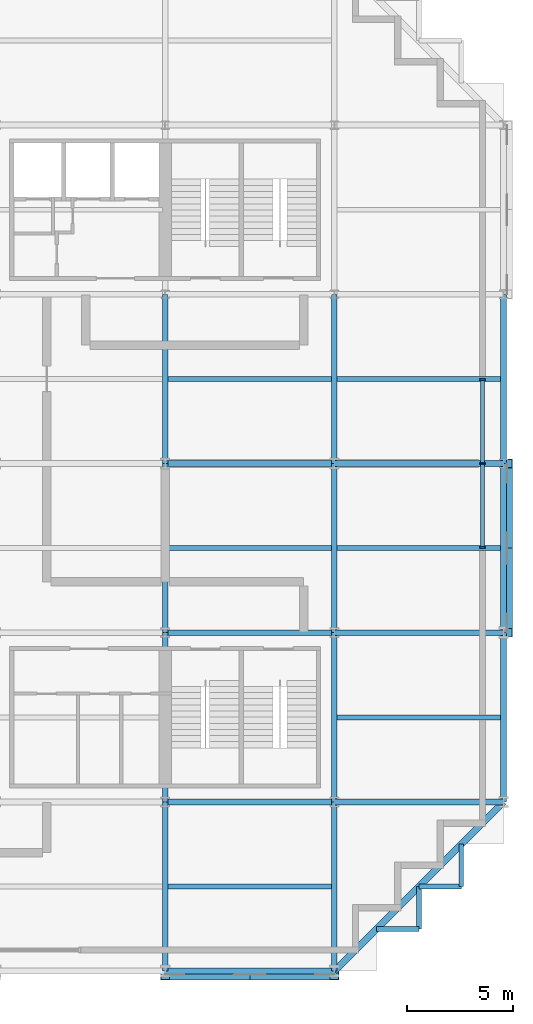
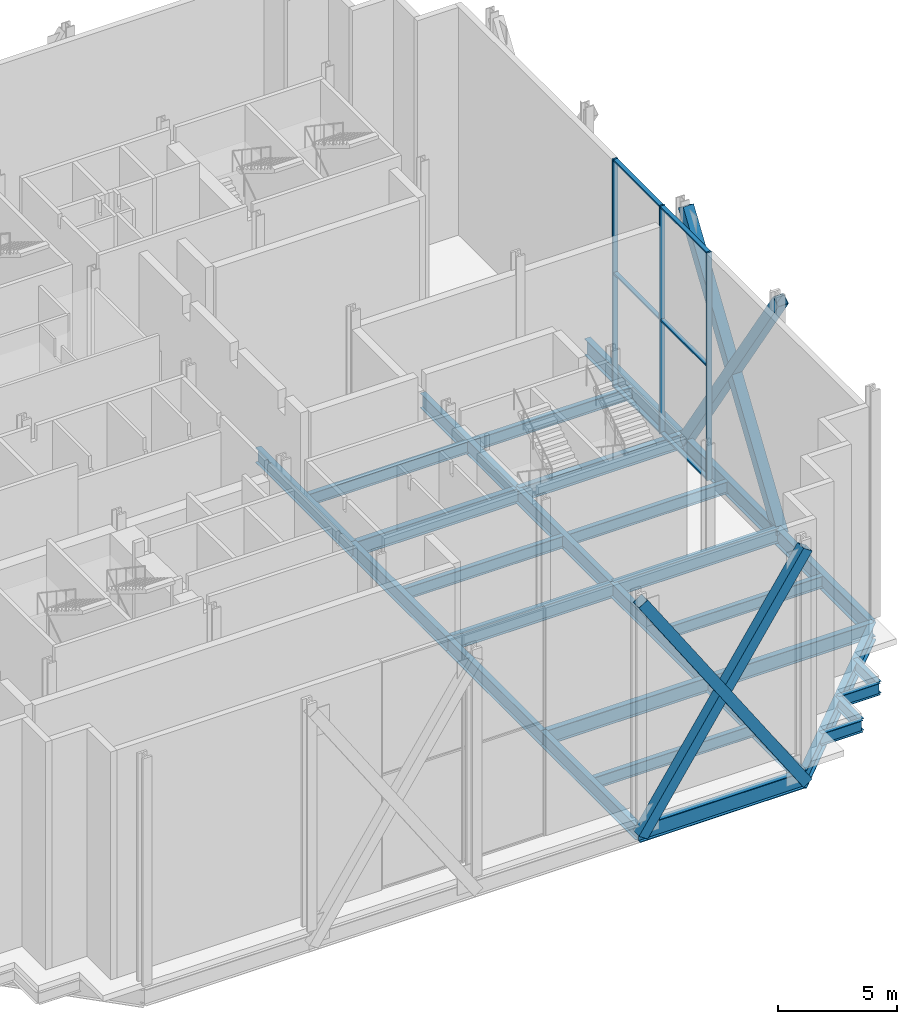
# One storey, part 4 of 14: 29 beams, 13 members, 1 element without a shape of its own.
"""IFC4 building model written with IfcOpenShell, lengths in metres."""

from ifc_helpers import new_model, si_unit, direction, frame, origin, origin_2d, place, context, subcontext, project, spatial, rectangle, hollow_rectangle, i_section, extrude, material, material_profile, profile_set, type_object, element, aggregate, save


model = new_model("IFC4")

# Units and contexts
model_context = context("Model", 3, precision=1e-05, world=origin(), true_north=direction((0.0, 1.0)))
body_context = subcontext(model_context, "Body", "Model", "MODEL_VIEW")
ifc_project = project(units=[si_unit("LENGTHUNIT", "METRE"), si_unit("AREAUNIT", "SQUARE_METRE"), si_unit("VOLUMEUNIT", "CUBIC_METRE"), si_unit("PLANEANGLEUNIT", "RADIAN"), si_unit("MASSUNIT", "GRAM", prefix="KILO")], contexts=[model_context])

# Site, building, storey
site_placement = place(None, origin())
site = spatial("IfcSite", under=ifc_project, at=site_placement, CompositionType="ELEMENT")
building_placement = place(site_placement, origin())
building = spatial("IfcBuilding", under=site, at=building_placement, Name="Immortelle Media Tower", CompositionType="ELEMENT")
storey_placement = place(building_placement, frame((0.0, 0.0, 9.0)))
storey = spatial("IfcBuildingStorey", under=building, at=storey_placement, Name="L01", CompositionType="ELEMENT", Elevation=9.0)

# Members
ifc_material_1 = material(Name="Steel ASTM A500 Gr C", Category="steel")
ifc_material_profile_1 = material_profile(ifc_material_1, hollow_rectangle(XDim=0.508056640625, YDim=0.508056640625, WallThickness=0.014892578125, at=origin_2d()), Name="HSS20x20x5/8 brace")
ifc_profile_set_1 = profile_set([ifc_material_profile_1], Name="Steel ASTM A500 Gr C")
member_type_1 = type_object("IfcMemberType", Name="HSS20x20x5/8 brace", PredefinedType="BRACE", material=ifc_profile_set_1)
for number, where, z_axis, x_axis, name in (
    (1, (32.0, -0.1640625, -0.7294921875), (0.554700196225, 0.0, 0.832050294338), (0.0, 1.0, 0.0), "Brace A/5-6 A"),
    (2, (32.0, -0.1640625, 11.2705078125), (0.554700196225, 0.0, -0.832050294338), (0.0, 1.0, 0.0), "Brace A/5-6 B"),
    (3, (48.1640625, 16.0, -0.7294921875), (0.0, 0.554700196225, 0.832050294338), (-1.0, 0.0, 0.0), "Brace 7/C-D A"),
    (4, (48.1640625, 16.0, 11.2705078125), (0.0, 0.554700196225, -0.832050294338), (-1.0, 0.0, 0.0), "Brace 7/C-D B"),
):
    element("IfcMember", number, at=place(storey_placement, frame(where, z_axis=z_axis, x_axis=x_axis)), inside=storey, type_object=member_type_1, Name=name, PredefinedType="BRACE", context=body_context, shape_type="SweptSolid", body=[
        extrude(hollow_rectangle(XDim=0.508056640625, YDim=0.508056640625, WallThickness=0.014892578125, at=origin_2d()), origin(), (0.0, 0.0, 1.0), 14.422119140625),
    ])

# Curtain wall, members
ifc_material_2 = material(Name="Aluminium curtain wall system", Category="aluminium")
curtain_wall_type = type_object("IfcCurtainWallType", Name="Media wall curtain wall", PredefinedType="NOTDEFINED", material=ifc_material_2)
curtain_wall_placement = place(storey_placement, origin())
curtain_wall = element("IfcCurtainWall", 5, at=curtain_wall_placement, inside=storey, type_object=curtain_wall_type, Name="Media wall L01 E 14-2", PredefinedType="NOTDEFINED")
ifc_material_3 = material(Name="Aluminium 6063-T6", Category="aluminium")
ifc_material_profile_2 = material_profile(ifc_material_3, rectangle(XDim=0.25, YDim=0.080078125, at=origin_2d()), Name="AL 80x250")
ifc_profile_set_2 = profile_set([ifc_material_profile_2], Name="Aluminium 6063-T6")
member_type_2 = type_object("IfcMemberType", Name="Media wall mullion 80 x 250", PredefinedType="MULLION", material=ifc_profile_set_2)
member_1_placement = place(storey_placement, frame((47.0, 20.0400390625, 0.0), z_axis=(0.0, 0.0, 1.0), x_axis=(-1.0, 0.0, 0.0)))
member_1 = element("IfcMember", 6, at=member_1_placement, type_object=member_type_2, Name="CW3 mullion 1", PredefinedType="MULLION", context=body_context, shape_type="SweptSolid", body=[
    extrude(rectangle(XDim=0.25, YDim=0.080078125, at=origin_2d()), origin(), (0.0, 0.0, 1.0), 11.699951171875),
])
member_2_placement = place(storey_placement, frame((47.0, 24.0, 0.0), z_axis=(0.0, 0.0, 1.0), x_axis=(-1.0, 0.0, 0.0)))
member_2 = element("IfcMember", 7, at=member_2_placement, type_object=member_type_2, Name="CW3 mullion 2", PredefinedType="MULLION", context=body_context, shape_type="SweptSolid", body=[
    extrude(rectangle(XDim=0.25, YDim=0.080078125, at=origin_2d()), origin(), (0.0, 0.0, 1.0), 11.699951171875),
])
member_3_placement = place(storey_placement, frame((47.0, 27.9599609375, 0.0), z_axis=(0.0, 0.0, 1.0), x_axis=(-1.0, 0.0, 0.0)))
member_3 = element("IfcMember", 8, at=member_3_placement, type_object=member_type_2, Name="CW3 mullion 3", PredefinedType="MULLION", context=body_context, shape_type="SweptSolid", body=[
    extrude(rectangle(XDim=0.25, YDim=0.080078125, at=origin_2d()), origin(), (0.0, 0.0, 1.0), 11.699951171875),
])
ifc_material_profile_3 = material_profile(ifc_material_3, rectangle(XDim=0.199951171875, YDim=0.080078125, at=origin_2d()), Name="AL 80x200")
ifc_profile_set_3 = profile_set([ifc_material_profile_3], Name="Aluminium 6063-T6")
member_type_3 = type_object("IfcMemberType", Name="Media wall transom 80 x 200", PredefinedType="USERDEFINED", material=ifc_profile_set_3)
member_4_placement = place(storey_placement, frame((47.0, 20.080078125, 0.0400390625), z_axis=(0.0, 1.0, 0.0), x_axis=(-1.0, 0.0, 0.0)))
member_4 = element("IfcMember", 9, at=member_4_placement, type_object=member_type_3, Name="CW3 transom 1.1", ObjectType="TRANSOM", PredefinedType="USERDEFINED", context=body_context, shape_type="SweptSolid", body=[
    extrude(rectangle(XDim=0.199951171875, YDim=0.080078125, at=origin_2d()), origin(), (0.0, 0.0, 1.0), 3.8798828125),
])
member_5_placement = place(storey_placement, frame((47.0, 20.080078125, 5.85009765625), z_axis=(0.0, 1.0, 0.0), x_axis=(-1.0, 0.0, 0.0)))
member_5 = element("IfcMember", 10, at=member_5_placement, type_object=member_type_3, Name="CW3 transom 1.2", ObjectType="TRANSOM", PredefinedType="USERDEFINED", context=body_context, shape_type="SweptSolid", body=[
    extrude(rectangle(XDim=0.199951171875, YDim=0.080078125, at=origin_2d()), origin(), (0.0, 0.0, 1.0), 3.8798828125),
])
member_6_placement = place(storey_placement, frame((47.0, 20.080078125, 11.659912109375), z_axis=(0.0, 1.0, 0.0), x_axis=(-1.0, 0.0, 0.0)))
member_6 = element("IfcMember", 11, at=member_6_placement, type_object=member_type_3, Name="CW3 transom 1.3", ObjectType="TRANSOM", PredefinedType="USERDEFINED", context=body_context, shape_type="SweptSolid", body=[
    extrude(rectangle(XDim=0.199951171875, YDim=0.080078125, at=origin_2d()), origin(), (0.0, 0.0, 1.0), 3.8798828125),
])
member_7_placement = place(storey_placement, frame((47.0, 24.0400390625, 0.0400390625), z_axis=(0.0, 1.0, 0.0), x_axis=(-1.0, 0.0, 0.0)))
member_7 = element("IfcMember", 12, at=member_7_placement, type_object=member_type_3, Name="CW3 transom 2.1", ObjectType="TRANSOM", PredefinedType="USERDEFINED", context=body_context, shape_type="SweptSolid", body=[
    extrude(rectangle(XDim=0.199951171875, YDim=0.080078125, at=origin_2d()), origin(), (0.0, 0.0, 1.0), 3.8798828125),
])
member_8_placement = place(storey_placement, frame((47.0, 24.0400390625, 5.85009765625), z_axis=(0.0, 1.0, 0.0), x_axis=(-1.0, 0.0, 0.0)))
member_8 = element("IfcMember", 13, at=member_8_placement, type_object=member_type_3, Name="CW3 transom 2.2", ObjectType="TRANSOM", PredefinedType="USERDEFINED", context=body_context, shape_type="SweptSolid", body=[
    extrude(rectangle(XDim=0.199951171875, YDim=0.080078125, at=origin_2d()), origin(), (0.0, 0.0, 1.0), 3.8798828125),
])
member_9_placement = place(storey_placement, frame((47.0, 24.0400390625, 11.659912109375), z_axis=(0.0, 1.0, 0.0), x_axis=(-1.0, 0.0, 0.0)))
member_9 = element("IfcMember", 14, at=member_9_placement, type_object=member_type_3, Name="CW3 transom 2.3", ObjectType="TRANSOM", PredefinedType="USERDEFINED", context=body_context, shape_type="SweptSolid", body=[
    extrude(rectangle(XDim=0.199951171875, YDim=0.080078125, at=origin_2d()), origin(), (0.0, 0.0, 1.0), 3.8798828125),
])
aggregate(curtain_wall, [member_1, member_2, member_3, member_4, member_5, member_6, member_7, member_8, member_9])

# Beams
ifc_material_4 = material(Name="Steel ASTM A992 Gr 50", Category="steel")
ifc_material_profile_4 = material_profile(ifc_material_4, i_section(OverallWidth=0.22900390625, OverallDepth=0.612060546875, WebThickness=0.011962890625, FlangeThickness=0.02001953125, at=origin_2d()), Name="W24x84")
ifc_profile_set_4 = profile_set([ifc_material_profile_4], Name="Steel ASTM A992 Gr 50")
beam_type_1 = type_object("IfcBeamType", Name="W24x84 secondary beam", PredefinedType="JOIST", material=ifc_profile_set_4)
beam_1_placement = place(storey_placement, frame((32.133544921875, 4.0, -0.60595703125), z_axis=(1.0, 0.0, 0.0), x_axis=(0.0, 1.0, 0.0)))
element("IfcBeam", 15, at=beam_1_placement, inside=storey, type_object=beam_type_1, Name="Beam A-B/5-6", PredefinedType="JOIST", context=body_context, shape_type="SweptSolid", body=[
    extrude(i_section(OverallWidth=0.22900390625, OverallDepth=0.612060546875, WebThickness=0.011962890625, FlangeThickness=0.02001953125, at=origin_2d()), origin(), (0.0, 0.0, 1.0), 7.73291015625),
])
beam_2_placement = place(storey_placement, frame((40.133544921875, 12.0, -0.60595703125), z_axis=(1.0, 0.0, 0.0), x_axis=(0.0, 1.0, 0.0)))
element("IfcBeam", 16, at=beam_2_placement, inside=storey, type_object=beam_type_1, Name="Beam B-C/6-7", PredefinedType="JOIST", context=body_context, shape_type="SweptSolid", body=[
    extrude(i_section(OverallWidth=0.22900390625, OverallDepth=0.612060546875, WebThickness=0.011962890625, FlangeThickness=0.02001953125, at=origin_2d()), origin(), (0.0, 0.0, 1.0), 7.720458984375),
])
beam_3_placement = place(storey_placement, frame((32.133544921875, 20.0, -0.60595703125), z_axis=(1.0, 0.0, 0.0), x_axis=(0.0, 1.0, 0.0)))
element("IfcBeam", 17, at=beam_3_placement, inside=storey, type_object=beam_type_1, Name="Beam C-D/5-6", PredefinedType="JOIST", context=body_context, shape_type="SweptSolid", body=[
    extrude(i_section(OverallWidth=0.22900390625, OverallDepth=0.612060546875, WebThickness=0.011962890625, FlangeThickness=0.02001953125, at=origin_2d()), origin(), (0.0, 0.0, 1.0), 7.73291015625),
])
beam_4_placement = place(storey_placement, frame((40.133544921875, 20.0, -0.60595703125), z_axis=(1.0, 0.0, 0.0), x_axis=(0.0, 1.0, 0.0)))
element("IfcBeam", 18, at=beam_4_placement, inside=storey, type_object=beam_type_1, Name="Beam C-D/6-7", PredefinedType="JOIST", context=body_context, shape_type="SweptSolid", body=[
    extrude(i_section(OverallWidth=0.22900390625, OverallDepth=0.612060546875, WebThickness=0.011962890625, FlangeThickness=0.02001953125, at=origin_2d()), origin(), (0.0, 0.0, 1.0), 7.720458984375),
])
beam_5_placement = place(storey_placement, frame((32.133544921875, 28.0, -0.60595703125), z_axis=(1.0, 0.0, 0.0), x_axis=(0.0, 1.0, 0.0)))
element("IfcBeam", 19, at=beam_5_placement, inside=storey, type_object=beam_type_1, Name="Beam D-E/5-6", PredefinedType="JOIST", context=body_context, shape_type="SweptSolid", body=[
    extrude(i_section(OverallWidth=0.22900390625, OverallDepth=0.612060546875, WebThickness=0.011962890625, FlangeThickness=0.02001953125, at=origin_2d()), origin(), (0.0, 0.0, 1.0), 7.73291015625),
])
beam_6_placement = place(storey_placement, frame((40.133544921875, 28.0, -0.60595703125), z_axis=(1.0, 0.0, 0.0), x_axis=(0.0, 1.0, 0.0)))
element("IfcBeam", 20, at=beam_6_placement, inside=storey, type_object=beam_type_1, Name="Beam D-E/6-7", PredefinedType="JOIST", context=body_context, shape_type="SweptSolid", body=[
    extrude(i_section(OverallWidth=0.22900390625, OverallDepth=0.612060546875, WebThickness=0.011962890625, FlangeThickness=0.02001953125, at=origin_2d()), origin(), (0.0, 0.0, 1.0), 7.720458984375),
])
ifc_material_profile_5 = material_profile(ifc_material_4, i_section(OverallWidth=0.22900390625, OverallDepth=0.612060546875, WebThickness=0.011962890625, FlangeThickness=0.02001953125, at=origin_2d()), Name="W24x84")
ifc_profile_set_5 = profile_set([ifc_material_profile_5], Name="Steel ASTM A992 Gr 50")
beam_type_2 = type_object("IfcBeamType", Name="W24x84 serration edge beam", PredefinedType="SPANDREL", material=ifc_profile_set_5)
for number, where, z_axis, x_axis, name in (
    (21, (46.0, 6.0, -0.60595703125), (0.0, -1.0, 0.0), (1.0, 0.0, 0.0), "Corner edge beam 1 at 7/A"),
    (22, (46.0, 4.0, -0.60595703125), (-1.0, 0.0, 0.0), (0.0, -1.0, 0.0), "Corner edge beam 2 at 7/A"),
    (23, (44.0, 4.0, -0.60595703125), (0.0, -1.0, 0.0), (1.0, 0.0, 0.0), "Corner edge beam 3 at 7/A"),
    (24, (44.0, 2.0, -0.60595703125), (-1.0, 0.0, 0.0), (0.0, -1.0, 0.0), "Corner edge beam 4 at 7/A"),
):
    element("IfcBeam", number, at=place(storey_placement, frame(where, z_axis=z_axis, x_axis=x_axis)), inside=storey, type_object=beam_type_2, Name=name, PredefinedType="SPANDREL", context=body_context, shape_type="SweptSolid", body=[
        extrude(i_section(OverallWidth=0.22900390625, OverallDepth=0.612060546875, WebThickness=0.011962890625, FlangeThickness=0.02001953125, at=origin_2d()), origin(), (0.0, 0.0, 1.0), 2.0),
    ])
ifc_material_profile_6 = material_profile(ifc_material_4, i_section(OverallWidth=0.26708984375, OverallDepth=0.761962890625, WebThickness=0.013916015625, FlangeThickness=0.02197265625, at=origin_2d()), Name="W30x116")
ifc_profile_set_6 = profile_set([ifc_material_profile_6], Name="Steel ASTM A992 Gr 50")
beam_type_3 = type_object("IfcBeamType", Name="W30x116 girder", PredefinedType="BEAM", material=ifc_profile_set_6)
for number, where, z_axis, x_axis, name in (
    (25, (32.0, 0.0, -0.680908203125), (0.0, 1.0, 0.0), (-1.0, 0.0, 0.0), "Girder 5/A-B"),
    (26, (32.0, 8.0, -0.680908203125), (1.0, 0.0, 0.0), (0.0, 1.0, 0.0), "Girder B/5-6"),
    (27, (32.0, 8.0, -0.680908203125), (0.0, 1.0, 0.0), (-1.0, 0.0, 0.0), "Girder 5/B-C"),
    (28, (32.0, 16.0, -0.680908203125), (1.0, 0.0, 0.0), (0.0, 1.0, 0.0), "Girder C/5-6"),
    (29, (32.0, 16.0, -0.680908203125), (0.0, 1.0, 0.0), (-1.0, 0.0, 0.0), "Girder 5/C-D"),
    (30, (32.0, 24.0, -0.680908203125), (1.0, 0.0, 0.0), (0.0, 1.0, 0.0), "Girder D/5-6"),
    (31, (32.0, 24.0, -0.680908203125), (0.0, 1.0, 0.0), (-1.0, 0.0, 0.0), "Girder 5/D-E"),
    (32, (40.0, 0.0, -0.680908203125), (0.0, 1.0, 0.0), (-1.0, 0.0, 0.0), "Girder 6/A-B"),
    (33, (40.0, 8.0, -0.680908203125), (1.0, 0.0, 0.0), (0.0, 1.0, 0.0), "Girder B/6-7"),
    (34, (40.0, 8.0, -0.680908203125), (0.0, 1.0, 0.0), (-1.0, 0.0, 0.0), "Girder 6/B-C"),
    (35, (40.0, 16.0, -0.680908203125), (1.0, 0.0, 0.0), (0.0, 1.0, 0.0), "Girder C/6-7"),
    (36, (40.0, 16.0, -0.680908203125), (0.0, 1.0, 0.0), (-1.0, 0.0, 0.0), "Girder 6/C-D"),
    (37, (40.0, 24.0, -0.680908203125), (1.0, 0.0, 0.0), (0.0, 1.0, 0.0), "Girder D/6-7"),
    (38, (40.0, 24.0, -0.680908203125), (0.0, 1.0, 0.0), (-1.0, 0.0, 0.0), "Girder 6/D-E"),
):
    element("IfcBeam", number, at=place(storey_placement, frame(where, z_axis=z_axis, x_axis=x_axis)), inside=storey, type_object=beam_type_3, Name=name, PredefinedType="BEAM", context=body_context, shape_type="SweptSolid", body=[
        extrude(i_section(OverallWidth=0.26708984375, OverallDepth=0.761962890625, WebThickness=0.013916015625, FlangeThickness=0.02197265625, at=origin_2d()), origin(), (0.0, 0.0, 1.0), 8.0),
    ])
ifc_material_profile_7 = material_profile(ifc_material_4, i_section(OverallWidth=0.2919921875, OverallDepth=0.85888671875, WebThickness=0.01708984375, FlangeThickness=0.031005859375, at=origin_2d()), Name="W33x169")
ifc_profile_set_7 = profile_set([ifc_material_profile_7], Name="Steel ASTM A992 Gr 50")
beam_type_4 = type_object("IfcBeamType", Name="W33x169 perimeter girder", PredefinedType="SPANDREL", material=ifc_profile_set_7)
for number, where, z_axis, x_axis, name in (
    (39, (32.0, 0.0, -0.7294921875), (1.0, 0.0, 0.0), (0.0, 1.0, 0.0), "Girder A/5-6"),
    (40, (48.0, 8.0, -0.7294921875), (0.0, 1.0, 0.0), (-1.0, 0.0, 0.0), "Girder 7/B-C"),
    (41, (48.0, 16.0, -0.7294921875), (0.0, 1.0, 0.0), (-1.0, 0.0, 0.0), "Girder 7/C-D"),
    (42, (48.0, 24.0, -0.7294921875), (0.0, 1.0, 0.0), (-1.0, 0.0, 0.0), "Girder 7/D-E"),
):
    element("IfcBeam", number, at=place(storey_placement, frame(where, z_axis=z_axis, x_axis=x_axis)), inside=storey, type_object=beam_type_4, Name=name, PredefinedType="SPANDREL", context=body_context, shape_type="SweptSolid", body=[
        extrude(i_section(OverallWidth=0.2919921875, OverallDepth=0.85888671875, WebThickness=0.01708984375, FlangeThickness=0.031005859375, at=origin_2d()), origin(), (0.0, 0.0, 1.0), 8.0),
    ])
ifc_material_profile_8 = material_profile(ifc_material_4, i_section(OverallWidth=0.306884765625, OverallDepth=0.927001953125, WebThickness=0.01904296875, FlangeThickness=0.031982421875, at=origin_2d()), Name="W36x194")
ifc_profile_set_8 = profile_set([ifc_material_profile_8], Name="Steel ASTM A992 Gr 50")
beam_type_5 = type_object("IfcBeamType", Name="W36x194 corner girder", PredefinedType="SPANDREL", material=ifc_profile_set_8)
beam_7_placement = place(storey_placement, frame((48.0, 8.0, -0.763427734375), z_axis=(-0.707106781187, -0.707106781187, 0.0), x_axis=(0.707106781187, -0.707106781187, 0.0)))
element("IfcBeam", 43, at=beam_7_placement, inside=storey, type_object=beam_type_5, Name="Corner girder at 7/A", PredefinedType="SPANDREL", context=body_context, shape_type="SweptSolid", body=[
    extrude(i_section(OverallWidth=0.306884765625, OverallDepth=0.927001953125, WebThickness=0.01904296875, FlangeThickness=0.031982421875, at=origin_2d()), origin(), (0.0, 0.0, 1.0), 11.313720703125),
])

save(model, "model.ifc")
